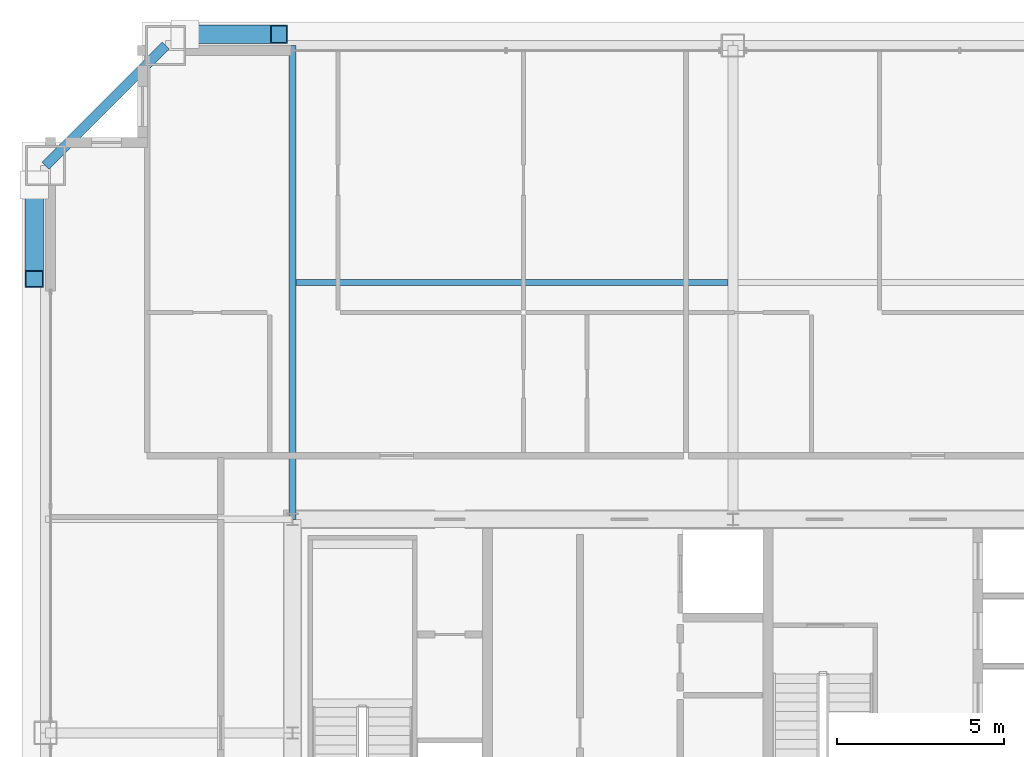
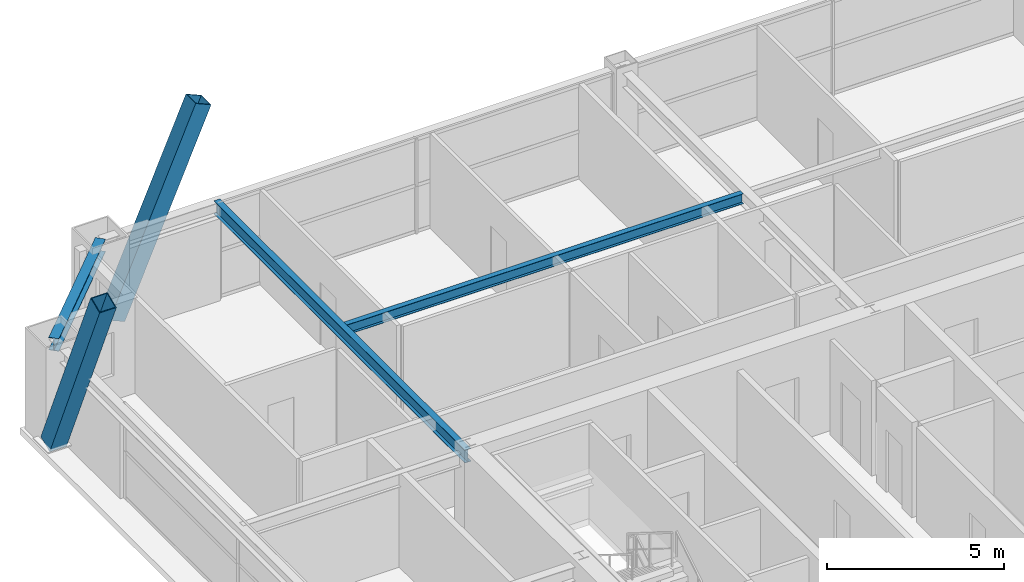
# One storey, part 23 of 37: 3 beams, 2 members.
"""IFC4 building model written with IfcOpenShell, lengths in metres."""

from ifc_helpers import new_model, si_unit, direction, frame, origin, origin_2d, place, context, subcontext, project, spatial, hollow_rectangle, i_section, extrude, source, transform, mapped, material, material_profile, profile_set, type_object, element, save


model = new_model("IFC4")

# Units and contexts
model_context = context("Model", 3, precision=1e-05, world=origin(), true_north=direction((0.0, 1.0)))
body_context = subcontext(model_context, "Body", "Model", "MODEL_VIEW")
ifc_project = project(units=[si_unit("LENGTHUNIT", "METRE"), si_unit("AREAUNIT", "SQUARE_METRE"), si_unit("VOLUMEUNIT", "CUBIC_METRE"), si_unit("PLANEANGLEUNIT", "RADIAN"), si_unit("MASSUNIT", "GRAM", prefix="KILO"), si_unit("THERMODYNAMICTEMPERATUREUNIT", "KELVIN"), si_unit("POWERUNIT", "WATT")], contexts=[model_context])

# Site, building, storey
site_placement = place(None, origin())
site = spatial("IfcSite", under=ifc_project, at=site_placement, CompositionType="ELEMENT")
building_placement = place(site_placement, origin())
building = spatial("IfcBuilding", under=site, at=building_placement, Name="Yuzanri Waterfront Tower", CompositionType="ELEMENT")
storey_placement = place(building_placement, frame((0.0, 0.0, 278.60009765625)))
storey = spatial("IfcBuildingStorey", under=building, at=storey_placement, Name="L74", CompositionType="ELEMENT", Elevation=278.60009765625)

# Beams
ifc_material_1 = material(Name="Steel Q355B", Category="steel")
ifc_material_profile_1 = material_profile(ifc_material_1, i_section(OverallWidth=0.300048828125, OverallDepth=0.43994140625, WebThickness=0.010986328125, FlangeThickness=0.01806640625, at=origin_2d()), Name="HM 440x300x11x18")
ifc_profile_set_1 = profile_set([ifc_material_profile_1], Name="Steel Q355B")
beam_type_1 = type_object("IfcBeamType", Name="Perimeter Spandrel Q355B HM 440x300", PredefinedType="SPANDREL", material=ifc_profile_set_1)
shared_shape_1 = source(origin(), body_context, "Body", "SweptSolid", [
    extrude(i_section(OverallWidth=0.300048828125, OverallDepth=0.43994140625, WebThickness=0.010986328125, FlangeThickness=0.01806640625, at=origin_2d()), origin(), (0.0, 0.0, 1.0), 5.091064453125),
])
beam_1_placement = place(storey_placement, frame((20.0, 46.39990234375, 3.059814453125), z_axis=(-0.707130757816, -0.707082803744, 0.0), x_axis=(0.707082803744, -0.707130757816, 0.0)))
element("IfcBeam", 1, at=beam_1_placement, inside=storey, type_object=beam_type_1, Name="L74 Perimeter Spandrel N1-W3", PredefinedType="SPANDREL", context=body_context, shape_type="MappedRepresentation", body=[
    mapped(shared_shape_1, transform((0.0, 0.0, 0.0), scale=1.0)),
])
ifc_material_2 = material(Name="Steel Q355B", Category="steel")
ifc_material_profile_2 = material_profile(ifc_material_2, i_section(OverallWidth=0.199951171875, OverallDepth=0.449951171875, WebThickness=0.009033203125, FlangeThickness=0.013916015625, at=origin_2d()), Name="HN 450x200x9x14")
ifc_profile_set_2 = profile_set([ifc_material_profile_2], Name="Steel Q355B")
beam_type_2 = type_object("IfcBeamType", Name="Secondary Floor Beam Q355B HN 450x200", PredefinedType="BEAM", material=ifc_profile_set_2)
shared_shape_2 = source(origin(), body_context, "Body", "SweptSolid", [
    extrude(i_section(OverallWidth=0.199951171875, OverallDepth=0.449951171875, WebThickness=0.009033203125, FlangeThickness=0.013916015625, at=origin_2d()), origin(), (0.0, 0.0, 1.0), 14.199951171875),
])
beam_2_placement = place(storey_placement, frame((23.800048828125, 32.199951171875, 3.054931640625), z_axis=(0.0, 1.0, 0.0), x_axis=(-1.0, 0.0, 0.0)))
element("IfcBeam", 2, at=beam_2_placement, inside=storey, type_object=beam_type_2, Name="L74 North-West Core Line Beam", PredefinedType="BEAM", context=body_context, shape_type="MappedRepresentation", body=[
    mapped(shared_shape_2, transform((0.0, 0.0, 0.0), scale=1.0)),
])
ifc_material_3 = material(Name="Steel Q355B", Category="steel")
ifc_material_profile_3 = material_profile(ifc_material_3, i_section(OverallWidth=0.175048828125, OverallDepth=0.35009765625, WebThickness=0.007080078125, FlangeThickness=0.010986328125, at=origin_2d()), Name="HN 350x175x7x11")
ifc_profile_set_3 = profile_set([ifc_material_profile_3], Name="Steel Q355B")
beam_type_3 = type_object("IfcBeamType", Name="Floor Joist Q355B HN 350x175", PredefinedType="JOIST", material=ifc_profile_set_3)
shared_shape_3 = source(origin(), body_context, "Body", "SweptSolid", [
    extrude(i_section(OverallWidth=0.175048828125, OverallDepth=0.35009765625, WebThickness=0.007080078125, FlangeThickness=0.010986328125, at=origin_2d()), origin(), (0.0, 0.0, 1.0), 12.9501953125),
])
beam_3_placement = place(storey_placement, frame((23.89990234375, 39.300048828125, 3.10498046875), z_axis=(1.0, 0.0, 0.0), x_axis=(0.0, 1.0, 0.0)))
element("IfcBeam", 3, at=beam_3_placement, inside=storey, type_object=beam_type_3, Name="L74 North Bay Joist W", PredefinedType="JOIST", context=body_context, shape_type="MappedRepresentation", body=[
    mapped(shared_shape_3, transform((0.0, 0.0, 0.0), scale=1.0)),
])

# Members
ifc_material_4 = material(Name="Steel Q390GJC", Category="steel")
ifc_material_profile_4 = material_profile(ifc_material_4, hollow_rectangle(XDim=0.550048828125, YDim=0.550048828125, WallThickness=0.02490234375, at=origin_2d()), Name="RHS 550x550x25")
ifc_profile_set_4 = profile_set([ifc_material_profile_4], Name="Steel Q390GJC")
member_type = type_object("IfcMemberType", Name="Mega Brace Mid Q390GJC RHS 550x550x25", PredefinedType="BRACE", material=ifc_profile_set_4)
shared_shape_4 = source(origin(), body_context, "Body", "SweptSolid", [
    extrude(hollow_rectangle(XDim=0.550048828125, YDim=0.550048828125, WallThickness=0.02490234375, at=origin_2d()), origin(), (0.0, 0.0, 1.0), 7.085205078125),
])
member_1_placement = place(storey_placement, frame((20.580078125, 46.739990234375, 0.179931640625), z_axis=(0.397982599681, 0.0, 0.917392963975), x_axis=(0.0, 1.0, 0.0)))
element("IfcMember", 4, at=member_1_placement, inside=storey, type_object=member_type, Name="L74-L75 Perimeter Mega-Brace N-L", PredefinedType="BRACE", context=body_context, shape_type="MappedRepresentation", body=[
    mapped(shared_shape_4, transform((0.0, 0.0, 0.0), scale=1.0)),
])
shared_shape_5 = source(origin(), body_context, "Body", "SweptSolid", [
    extrude(hollow_rectangle(XDim=0.550048828125, YDim=0.550048828125, WallThickness=0.02490234375, at=origin_2d()), origin(), (0.0, 0.0, 1.0), 7.08544921875),
])
member_2_placement = place(storey_placement, frame((16.06005859375, 42.219970703125, 0.179931640625), z_axis=(0.0, -0.398011598745, 0.917380383082), x_axis=(1.0, 0.0, 0.0)))
element("IfcMember", 5, at=member_2_placement, inside=storey, type_object=member_type, Name="L74-L75 Perimeter Mega-Brace W-R", PredefinedType="BRACE", context=body_context, shape_type="MappedRepresentation", body=[
    mapped(shared_shape_5, transform((0.0, 0.0, 0.0), scale=1.0)),
])

save(model, "model.ifc")
